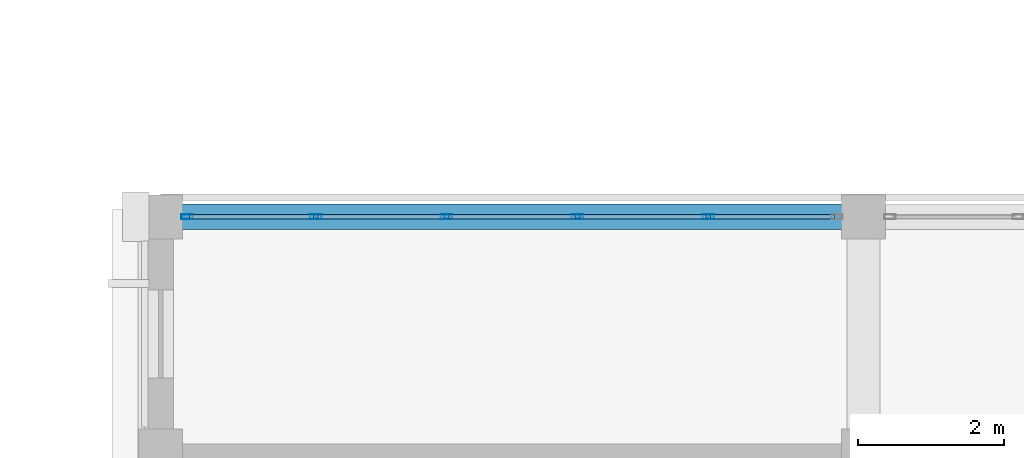
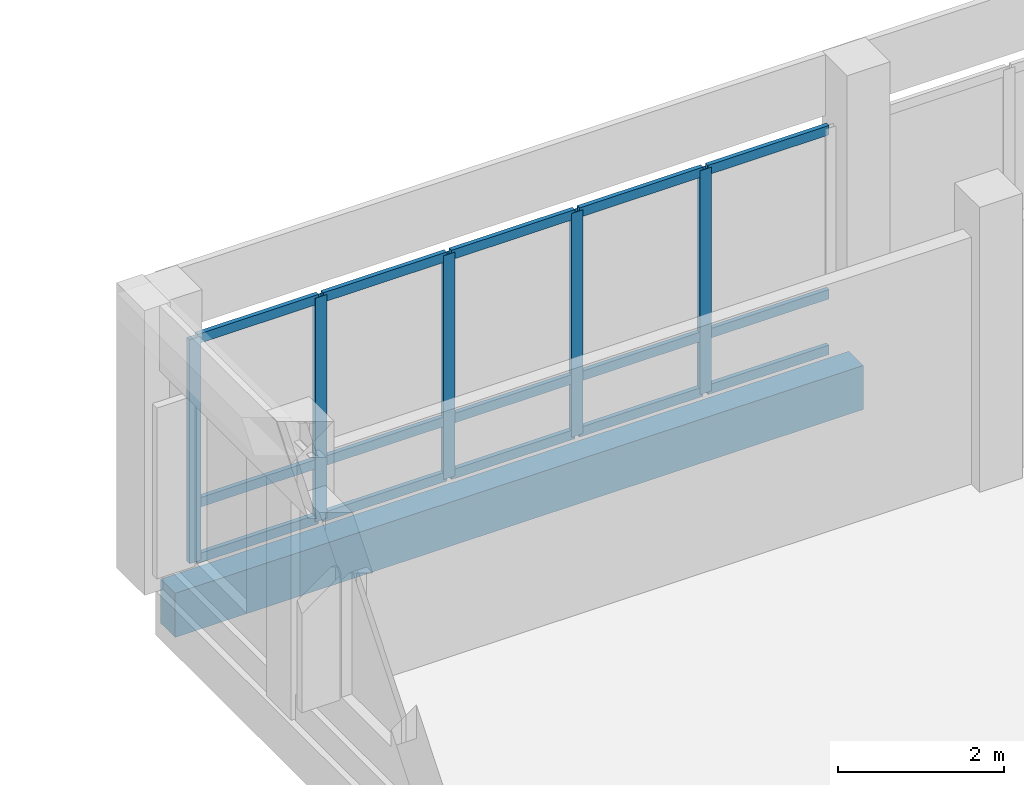
# One storey, part 57 of 93: 20 members, 1 beam, 1 element without a shape of its own.
"""IFC4 building model written with IfcOpenShell, lengths in metres."""

from ifc_helpers import new_model, si_unit, direction, frame, origin, origin_2d, place, context, subcontext, project, spatial, rectangle, hollow_rectangle, extrude, material, material_profile, profile_set, type_object, element, aggregate, save


model = new_model("IFC4")

# Units and contexts
model_context = context("Model", 3, precision=1e-05, world=origin(), true_north=direction((0.0, 1.0)))
body_context = subcontext(model_context, "Body", "Model", "MODEL_VIEW")
ifc_project = project(units=[si_unit("LENGTHUNIT", "METRE"), si_unit("AREAUNIT", "SQUARE_METRE"), si_unit("VOLUMEUNIT", "CUBIC_METRE"), si_unit("PLANEANGLEUNIT", "RADIAN"), si_unit("MASSUNIT", "GRAM", prefix="KILO")], contexts=[model_context])

# Site, building, storey
site_placement = place(None, origin())
site = spatial("IfcSite", under=ifc_project, at=site_placement, CompositionType="ELEMENT")
building_placement = place(site_placement, origin())
building = spatial("IfcBuilding", under=site, at=building_placement, Name="Vondelvale Polytechnic", CompositionType="ELEMENT")
storey_placement = place(building_placement, frame((0.0, 0.0, 18.0)))
storey = spatial("IfcBuildingStorey", under=building, at=storey_placement, Name="L04", CompositionType="ELEMENT", Elevation=18.0)

# Curtain wall, members
ifc_material_1 = material(Name="Anodised extruded aluminium 6063-T6", Category="aluminium")
curtain_wall_type = type_object("IfcCurtainWallType", Name="CW-STUDIO-NORTH", PredefinedType="NOTDEFINED", material=ifc_material_1)
curtain_wall_placement = place(storey_placement, origin())
curtain_wall = element("IfcCurtainWall", 1, at=curtain_wall_placement, inside=storey, type_object=curtain_wall_type, Name="L04 architectural curtain wall CW-01-068", PredefinedType="NOTDEFINED")
ifc_material_profile_1 = material_profile(ifc_material_1, hollow_rectangle(XDim=0.06494140625, YDim=0.159912109375, WallThickness=0.0048828125, at=origin_2d()), Name="CW-MUL-160x65")
ifc_profile_set_1 = profile_set([ifc_material_profile_1], Name="Anodised extruded aluminium 6063-T6")
member_type_1 = type_object("IfcMemberType", Name="CW-MUL-65x160", PredefinedType="MULLION", material=ifc_profile_set_1)
member_1_placement = place(storey_placement, frame((134.762451171875, 27.39990234375, 0.0), z_axis=(0.0, 0.0, 1.0), x_axis=(0.0, 1.0, 0.0)))
member_1 = element("IfcMember", 2, at=member_1_placement, type_object=member_type_1, Name="CW-01-068 mullion 1", PredefinedType="MULLION", context=body_context, shape_type="SweptSolid", body=[
    extrude(hollow_rectangle(XDim=0.06494140625, YDim=0.159912109375, WallThickness=0.0048828125, at=origin_2d()), origin(), (0.0, 0.0, 1.0), 3.300048828125),
])
member_2_placement = place(storey_placement, frame((136.51806640625, 27.39990234375, 0.0), z_axis=(0.0, 0.0, 1.0), x_axis=(0.0, 1.0, 0.0)))
member_2 = element("IfcMember", 3, at=member_2_placement, type_object=member_type_1, Name="CW-01-068 mullion 2", PredefinedType="MULLION", context=body_context, shape_type="SweptSolid", body=[
    extrude(hollow_rectangle(XDim=0.06494140625, YDim=0.159912109375, WallThickness=0.0048828125, at=origin_2d()), origin(), (0.0, 0.0, 1.0), 3.300048828125),
])
member_3_placement = place(storey_placement, frame((138.305908203125, 27.39990234375, 0.0), z_axis=(0.0, 0.0, 1.0), x_axis=(0.0, 1.0, 0.0)))
member_3 = element("IfcMember", 4, at=member_3_placement, type_object=member_type_1, Name="CW-01-068 mullion 3", PredefinedType="MULLION", context=body_context, shape_type="SweptSolid", body=[
    extrude(hollow_rectangle(XDim=0.06494140625, YDim=0.159912109375, WallThickness=0.0048828125, at=origin_2d()), origin(), (0.0, 0.0, 1.0), 3.300048828125),
])
member_4_placement = place(storey_placement, frame((140.093994140625, 27.39990234375, 0.0), z_axis=(0.0, 0.0, 1.0), x_axis=(0.0, 1.0, 0.0)))
member_4 = element("IfcMember", 5, at=member_4_placement, type_object=member_type_1, Name="CW-01-068 mullion 4", PredefinedType="MULLION", context=body_context, shape_type="SweptSolid", body=[
    extrude(hollow_rectangle(XDim=0.06494140625, YDim=0.159912109375, WallThickness=0.0048828125, at=origin_2d()), origin(), (0.0, 0.0, 1.0), 3.300048828125),
])
member_5_placement = place(storey_placement, frame((141.882080078125, 27.39990234375, 0.0), z_axis=(0.0, 0.0, 1.0), x_axis=(0.0, 1.0, 0.0)))
member_5 = element("IfcMember", 6, at=member_5_placement, type_object=member_type_1, Name="CW-01-068 mullion 5", PredefinedType="MULLION", context=body_context, shape_type="SweptSolid", body=[
    extrude(hollow_rectangle(XDim=0.06494140625, YDim=0.159912109375, WallThickness=0.0048828125, at=origin_2d()), origin(), (0.0, 0.0, 1.0), 3.300048828125),
])
ifc_material_profile_2 = material_profile(ifc_material_1, hollow_rectangle(XDim=0.06005859375, YDim=0.139892578125, WallThickness=0.00341796875, at=origin_2d()), Name="CW-TRN-140x60")
ifc_profile_set_2 = profile_set([ifc_material_profile_2], Name="Anodised extruded aluminium 6063-T6")
member_type_2 = type_object("IfcMemberType", Name="CW-TRN-60x140", PredefinedType="USERDEFINED", material=ifc_profile_set_2)
member_6_placement = place(storey_placement, frame((134.794921875, 27.39990234375, 0.030029296875), z_axis=(1.0, 0.0, 0.0), x_axis=(0.0, 1.0, 0.0)))
member_6 = element("IfcMember", 7, at=member_6_placement, type_object=member_type_2, Name="CW-01-068 transom 1.1", ObjectType="TRANSOM", PredefinedType="USERDEFINED", context=body_context, shape_type="SweptSolid", body=[
    extrude(hollow_rectangle(XDim=0.06005859375, YDim=0.139892578125, WallThickness=0.00341796875, at=origin_2d()), origin(), (0.0, 0.0, 1.0), 1.690673828125),
])
member_7_placement = place(storey_placement, frame((134.794921875, 27.39990234375, 0.85009765625), z_axis=(1.0, 0.0, 0.0), x_axis=(0.0, 1.0, 0.0)))
member_7 = element("IfcMember", 8, at=member_7_placement, type_object=member_type_2, Name="CW-01-068 transom 1.2", ObjectType="TRANSOM", PredefinedType="USERDEFINED", context=body_context, shape_type="SweptSolid", body=[
    extrude(hollow_rectangle(XDim=0.06005859375, YDim=0.139892578125, WallThickness=0.00341796875, at=origin_2d()), origin(), (0.0, 0.0, 1.0), 1.690673828125),
])
member_8_placement = place(storey_placement, frame((134.794921875, 27.39990234375, 3.27001953125), z_axis=(1.0, 0.0, 0.0), x_axis=(0.0, 1.0, 0.0)))
member_8 = element("IfcMember", 9, at=member_8_placement, type_object=member_type_2, Name="CW-01-068 transom 1.3", ObjectType="TRANSOM", PredefinedType="USERDEFINED", context=body_context, shape_type="SweptSolid", body=[
    extrude(hollow_rectangle(XDim=0.06005859375, YDim=0.139892578125, WallThickness=0.00341796875, at=origin_2d()), origin(), (0.0, 0.0, 1.0), 1.690673828125),
])
member_9_placement = place(storey_placement, frame((136.550537109375, 27.39990234375, 0.030029296875), z_axis=(1.0, 0.0, 0.0), x_axis=(0.0, 1.0, 0.0)))
member_9 = element("IfcMember", 10, at=member_9_placement, type_object=member_type_2, Name="CW-01-068 transom 2.1", ObjectType="TRANSOM", PredefinedType="USERDEFINED", context=body_context, shape_type="SweptSolid", body=[
    extrude(hollow_rectangle(XDim=0.06005859375, YDim=0.139892578125, WallThickness=0.00341796875, at=origin_2d()), origin(), (0.0, 0.0, 1.0), 1.722900390625),
])
member_10_placement = place(storey_placement, frame((136.550537109375, 27.39990234375, 0.85009765625), z_axis=(1.0, 0.0, 0.0), x_axis=(0.0, 1.0, 0.0)))
member_10 = element("IfcMember", 11, at=member_10_placement, type_object=member_type_2, Name="CW-01-068 transom 2.2", ObjectType="TRANSOM", PredefinedType="USERDEFINED", context=body_context, shape_type="SweptSolid", body=[
    extrude(hollow_rectangle(XDim=0.06005859375, YDim=0.139892578125, WallThickness=0.00341796875, at=origin_2d()), origin(), (0.0, 0.0, 1.0), 1.722900390625),
])
member_11_placement = place(storey_placement, frame((136.550537109375, 27.39990234375, 3.27001953125), z_axis=(1.0, 0.0, 0.0), x_axis=(0.0, 1.0, 0.0)))
member_11 = element("IfcMember", 12, at=member_11_placement, type_object=member_type_2, Name="CW-01-068 transom 2.3", ObjectType="TRANSOM", PredefinedType="USERDEFINED", context=body_context, shape_type="SweptSolid", body=[
    extrude(hollow_rectangle(XDim=0.06005859375, YDim=0.139892578125, WallThickness=0.00341796875, at=origin_2d()), origin(), (0.0, 0.0, 1.0), 1.722900390625),
])
member_12_placement = place(storey_placement, frame((138.33837890625, 27.39990234375, 0.030029296875), z_axis=(1.0, 0.0, 0.0), x_axis=(0.0, 1.0, 0.0)))
member_12 = element("IfcMember", 13, at=member_12_placement, type_object=member_type_2, Name="CW-01-068 transom 3.1", ObjectType="TRANSOM", PredefinedType="USERDEFINED", context=body_context, shape_type="SweptSolid", body=[
    extrude(hollow_rectangle(XDim=0.06005859375, YDim=0.139892578125, WallThickness=0.00341796875, at=origin_2d()), origin(), (0.0, 0.0, 1.0), 1.72314453125),
])
member_13_placement = place(storey_placement, frame((138.33837890625, 27.39990234375, 0.85009765625), z_axis=(1.0, 0.0, 0.0), x_axis=(0.0, 1.0, 0.0)))
member_13 = element("IfcMember", 14, at=member_13_placement, type_object=member_type_2, Name="CW-01-068 transom 3.2", ObjectType="TRANSOM", PredefinedType="USERDEFINED", context=body_context, shape_type="SweptSolid", body=[
    extrude(hollow_rectangle(XDim=0.06005859375, YDim=0.139892578125, WallThickness=0.00341796875, at=origin_2d()), origin(), (0.0, 0.0, 1.0), 1.72314453125),
])
member_14_placement = place(storey_placement, frame((138.33837890625, 27.39990234375, 3.27001953125), z_axis=(1.0, 0.0, 0.0), x_axis=(0.0, 1.0, 0.0)))
member_14 = element("IfcMember", 15, at=member_14_placement, type_object=member_type_2, Name="CW-01-068 transom 3.3", ObjectType="TRANSOM", PredefinedType="USERDEFINED", context=body_context, shape_type="SweptSolid", body=[
    extrude(hollow_rectangle(XDim=0.06005859375, YDim=0.139892578125, WallThickness=0.00341796875, at=origin_2d()), origin(), (0.0, 0.0, 1.0), 1.72314453125),
])
member_15_placement = place(storey_placement, frame((140.12646484375, 27.39990234375, 0.030029296875), z_axis=(1.0, 0.0, 0.0), x_axis=(0.0, 1.0, 0.0)))
member_15 = element("IfcMember", 16, at=member_15_placement, type_object=member_type_2, Name="CW-01-068 transom 4.1", ObjectType="TRANSOM", PredefinedType="USERDEFINED", context=body_context, shape_type="SweptSolid", body=[
    extrude(hollow_rectangle(XDim=0.06005859375, YDim=0.139892578125, WallThickness=0.00341796875, at=origin_2d()), origin(), (0.0, 0.0, 1.0), 1.72314453125),
])
member_16_placement = place(storey_placement, frame((140.12646484375, 27.39990234375, 0.85009765625), z_axis=(1.0, 0.0, 0.0), x_axis=(0.0, 1.0, 0.0)))
member_16 = element("IfcMember", 17, at=member_16_placement, type_object=member_type_2, Name="CW-01-068 transom 4.2", ObjectType="TRANSOM", PredefinedType="USERDEFINED", context=body_context, shape_type="SweptSolid", body=[
    extrude(hollow_rectangle(XDim=0.06005859375, YDim=0.139892578125, WallThickness=0.00341796875, at=origin_2d()), origin(), (0.0, 0.0, 1.0), 1.72314453125),
])
member_17_placement = place(storey_placement, frame((140.12646484375, 27.39990234375, 3.27001953125), z_axis=(1.0, 0.0, 0.0), x_axis=(0.0, 1.0, 0.0)))
member_17 = element("IfcMember", 18, at=member_17_placement, type_object=member_type_2, Name="CW-01-068 transom 4.3", ObjectType="TRANSOM", PredefinedType="USERDEFINED", context=body_context, shape_type="SweptSolid", body=[
    extrude(hollow_rectangle(XDim=0.06005859375, YDim=0.139892578125, WallThickness=0.00341796875, at=origin_2d()), origin(), (0.0, 0.0, 1.0), 1.72314453125),
])
member_18_placement = place(storey_placement, frame((141.91455078125, 27.39990234375, 0.030029296875), z_axis=(1.0, 0.0, 0.0), x_axis=(0.0, 1.0, 0.0)))
member_18 = element("IfcMember", 19, at=member_18_placement, type_object=member_type_2, Name="CW-01-068 transom 5.1", ObjectType="TRANSOM", PredefinedType="USERDEFINED", context=body_context, shape_type="SweptSolid", body=[
    extrude(hollow_rectangle(XDim=0.06005859375, YDim=0.139892578125, WallThickness=0.00341796875, at=origin_2d()), origin(), (0.0, 0.0, 1.0), 1.6904296875),
])
member_19_placement = place(storey_placement, frame((141.91455078125, 27.39990234375, 0.85009765625), z_axis=(1.0, 0.0, 0.0), x_axis=(0.0, 1.0, 0.0)))
member_19 = element("IfcMember", 20, at=member_19_placement, type_object=member_type_2, Name="CW-01-068 transom 5.2", ObjectType="TRANSOM", PredefinedType="USERDEFINED", context=body_context, shape_type="SweptSolid", body=[
    extrude(hollow_rectangle(XDim=0.06005859375, YDim=0.139892578125, WallThickness=0.00341796875, at=origin_2d()), origin(), (0.0, 0.0, 1.0), 1.6904296875),
])
member_20_placement = place(storey_placement, frame((141.91455078125, 27.39990234375, 3.27001953125), z_axis=(1.0, 0.0, 0.0), x_axis=(0.0, 1.0, 0.0)))
member_20 = element("IfcMember", 21, at=member_20_placement, type_object=member_type_2, Name="CW-01-068 transom 5.3", ObjectType="TRANSOM", PredefinedType="USERDEFINED", context=body_context, shape_type="SweptSolid", body=[
    extrude(hollow_rectangle(XDim=0.06005859375, YDim=0.139892578125, WallThickness=0.00341796875, at=origin_2d()), origin(), (0.0, 0.0, 1.0), 1.6904296875),
])
aggregate(curtain_wall, [member_1, member_2, member_3, member_4, member_5, member_6, member_7, member_8, member_9, member_10, member_11, member_12, member_13, member_14, member_15, member_16, member_17, member_18, member_19, member_20])

# Beam
ifc_material_2 = material(Name="Precast concrete N40 (f'c = 40 MPa)", Category="concrete")
ifc_material_profile_3 = material_profile(ifc_material_2, rectangle(XDim=0.35009765625, YDim=0.64990234375, at=origin_2d()), Name="RC-SPN-350x650")
ifc_profile_set_3 = profile_set([ifc_material_profile_3], Name="Precast concrete N40 (f'c = 40 MPa)")
beam_type = type_object("IfcBeamType", Name="SPN-PRE350x650", PredefinedType="SPANDREL", material=ifc_profile_set_3)
beam_placement = place(storey_placement, frame((134.39990234375, 27.39990234375, -0.574951171875), z_axis=(1.0, 0.0, 0.0), x_axis=(0.0, 1.0, 0.0)))
element("IfcBeam", 22, at=beam_placement, inside=storey, type_object=beam_type, Name="L04 B SP-02", PredefinedType="SPANDREL", context=body_context, shape_type="SweptSolid", body=[
    extrude(rectangle(XDim=0.35009765625, YDim=0.64990234375, at=origin_2d()), origin(), (0.0, 0.0, 1.0), 9.60009765625),
])

save(model, "model.ifc")
